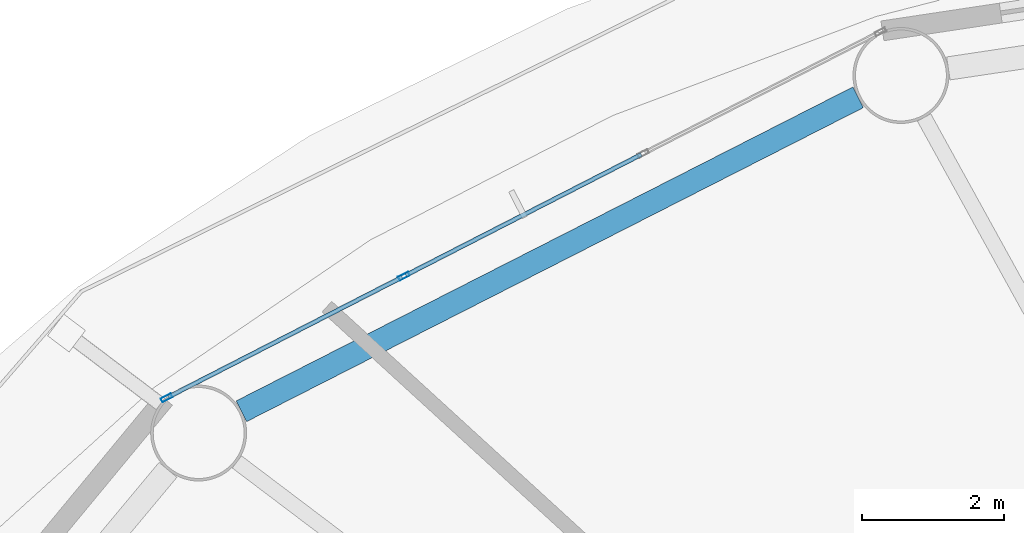
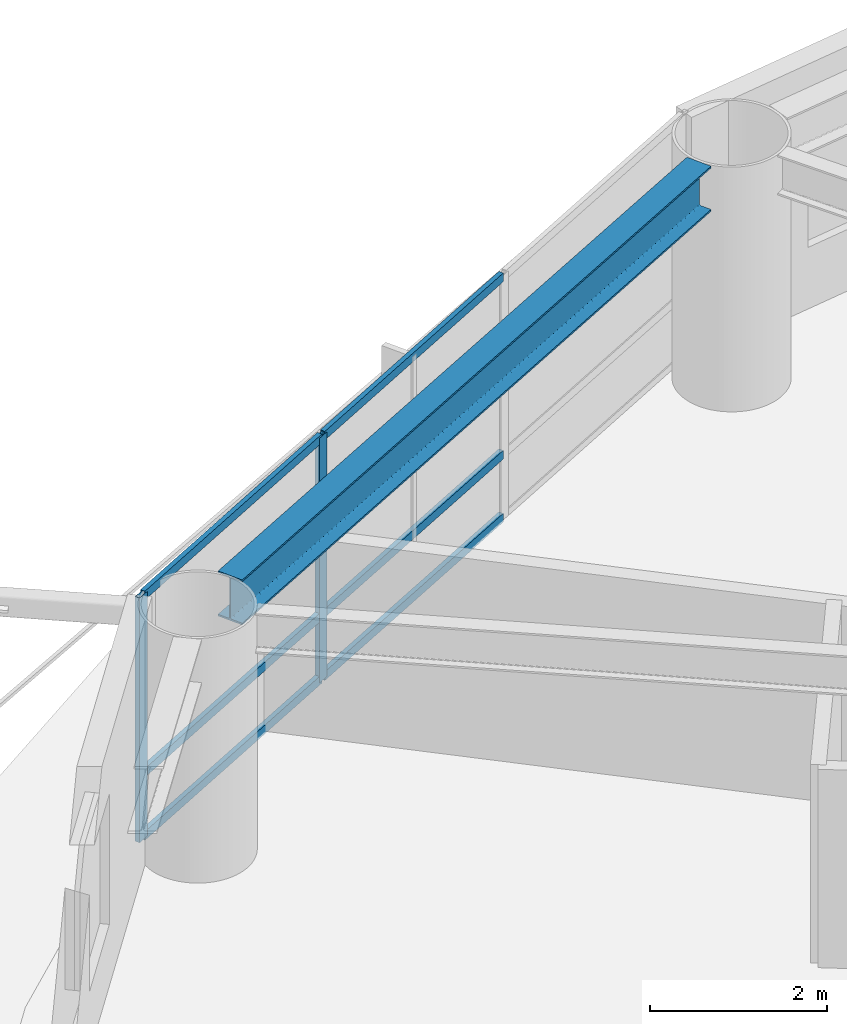
# One storey, part 10 of 26: 8 members, 1 beam, 1 element without a shape of its own.
"""IFC4 building model written with IfcOpenShell, lengths in metres."""

from ifc_helpers import new_model, si_unit, direction, frame, origin, origin_2d, place, context, subcontext, project, spatial, hollow_rectangle, i_section, extrude, material, layer, layer_set, material_profile, profile_set, type_object, element, aggregate, save


model = new_model("IFC4")

# Units and contexts
model_context = context("Model", 3, precision=1e-05, world=origin(), true_north=direction((0.0, 1.0)))
body_context = subcontext(model_context, "Body", "Model", "MODEL_VIEW")
ifc_project = project(units=[si_unit("LENGTHUNIT", "METRE"), si_unit("AREAUNIT", "SQUARE_METRE"), si_unit("VOLUMEUNIT", "CUBIC_METRE"), si_unit("PLANEANGLEUNIT", "RADIAN"), si_unit("MASSUNIT", "GRAM", prefix="KILO")], contexts=[model_context])

# Site, building, storey
site_placement = place(None, origin())
site = spatial("IfcSite", under=ifc_project, at=site_placement, CompositionType="ELEMENT")
building_placement = place(site_placement, origin())
building = spatial("IfcBuilding", under=site, at=building_placement, Name="Sarneth Arch Tower", CompositionType="ELEMENT")
storey_placement = place(building_placement, frame((0.0, 0.0, 60.60009765625)))
storey = spatial("IfcBuildingStorey", under=building, at=storey_placement, Name="L14", CompositionType="ELEMENT", Elevation=60.60009765625)

# Beam
ifc_material_1 = material(Name="Steel S355", Category="steel")
ifc_material_profile_1 = material_profile(ifc_material_1, i_section(OverallWidth=0.326904296875, OverallDepth=0.6220703125, WebThickness=0.015380859375, FlangeThickness=0.0244140625, FilletRadius=0.01904296875, at=origin_2d()), Name="W610x195")
ifc_profile_set_1 = profile_set([ifc_material_profile_1], Name="Steel S355")
beam_type = type_object("IfcBeamType", Name="BM-SPAN-610A", PredefinedType="SPANDREL", material=ifc_profile_set_1)
beam_placement = place(storey_placement, frame((35.58056640625, 63.127685546875, 3.06884765625), z_axis=(-0.8911738076, -0.453662037919, 0.0), x_axis=(0.453662037919, -0.8911738076, 0.0)))
element("IfcBeam", 1, at=beam_placement, inside=storey, type_object=beam_type, Name="L14 Perimeter spandrel beam 06", PredefinedType="SPANDREL", context=body_context, shape_type="SweptSolid", body=[
    extrude(i_section(OverallWidth=0.326904296875, OverallDepth=0.6220703125, WebThickness=0.015380859375, FlangeThickness=0.0244140625, FilletRadius=0.01904296875, at=origin_2d()), origin(), (0.0, 0.0, 1.0), 9.735107421875),
])

# Curtain wall, members
ifc_material_2 = material(Name="Anodised aluminium Type AA25 and solar-control low-e laminated IGU", Category="aluminium")
ifc_layer = layer(ifc_material_2, 0.159912109375)
ifc_layer_set = layer_set([ifc_layer], Name="Anodised aluminium Type AA25 and solar-control low-e laminated IGU")
curtain_wall_type = type_object("IfcCurtainWallType", Name="CW-HOTEL-LOW", PredefinedType="NOTDEFINED", material=ifc_layer_set)
curtain_wall_placement = place(storey_placement, origin())
curtain_wall = element("IfcCurtainWall", 2, at=curtain_wall_placement, inside=storey, type_object=curtain_wall_type, Name="L14 Unitised curtain wall facet 06", PredefinedType="NOTDEFINED")
ifc_material_3 = material(Name="Anodised Aluminium 6063-T6", Category="aluminium")
ifc_material_profile_2 = material_profile(ifc_material_3, hollow_rectangle(XDim=0.06005859375, YDim=0.159912109375, WallThickness=0.00390625, at=origin_2d()), Name="AL-MULL-160x60x4")
ifc_profile_set_2 = profile_set([ifc_material_profile_2], Name="Anodised Aluminium 6063-T6")
member_type_1 = type_object("IfcMemberType", Name="CW-MULLION", PredefinedType="MULLION", material=ifc_profile_set_2)
member_1_placement = place(storey_placement, frame((29.19140625, 60.611328125, 0.0), z_axis=(0.0, 0.0, 1.0), x_axis=(0.456245197127, -0.889854100456, 0.0)))
member_1 = element("IfcMember", 3, at=member_1_placement, type_object=member_type_1, Name="CW-SYS-3 mullion 3", PredefinedType="MULLION", context=body_context, shape_type="SweptSolid", body=[
    extrude(hollow_rectangle(XDim=0.06005859375, YDim=0.159912109375, WallThickness=0.00390625, at=origin_2d()), origin(), (0.0, 0.0, 1.0), 3.3798828125),
])
member_2_placement = place(storey_placement, frame((25.8525390625, 58.8994140625, 0.0), z_axis=(0.0, 0.0, 1.0), x_axis=(0.456245197127, -0.889854100456, 0.0)))
member_2 = element("IfcMember", 4, at=member_2_placement, type_object=member_type_1, Name="CW-SYS-3 mullion 4", PredefinedType="MULLION", context=body_context, shape_type="SweptSolid", body=[
    extrude(hollow_rectangle(XDim=0.06005859375, YDim=0.159912109375, WallThickness=0.00390625, at=origin_2d()), origin(), (0.0, 0.0, 1.0), 3.3798828125),
])
ifc_material_4 = material(Name="Anodised Aluminium 6063-T6", Category="aluminium")
ifc_material_profile_3 = material_profile(ifc_material_4, hollow_rectangle(XDim=0.06005859375, YDim=0.1201171875, WallThickness=0.00390625, at=origin_2d()), Name="AL-TRAN-120x60x4")
ifc_profile_set_3 = profile_set([ifc_material_profile_3], Name="Anodised Aluminium 6063-T6")
member_type_2 = type_object("IfcMemberType", Name="CW-TRANSOM", PredefinedType="USERDEFINED", material=ifc_profile_set_3)
member_3_placement = place(storey_placement, frame((32.530029296875, 62.322998046875, 0.02978515625), z_axis=(-0.889868677022, -0.456216766083, 0.0), x_axis=(0.456216766083, -0.889868677022, 0.0)))
member_3 = element("IfcMember", 5, at=member_3_placement, type_object=member_type_2, Name="CW-SYS-3 transom 2.1", ObjectType="TRANSOM", PredefinedType="USERDEFINED", context=body_context, shape_type="SweptSolid", body=[
    extrude(hollow_rectangle(XDim=0.06005859375, YDim=0.1201171875, WallThickness=0.00390625, at=origin_2d()), origin(), (0.0, 0.0, 1.0), 3.721923828125),
])
member_4_placement = place(storey_placement, frame((32.530029296875, 62.322998046875, 0.89990234375), z_axis=(-0.889868677022, -0.456216766083, 0.0), x_axis=(0.456216766083, -0.889868677022, 0.0)))
member_4 = element("IfcMember", 6, at=member_4_placement, type_object=member_type_2, Name="CW-SYS-3 transom 2.2", ObjectType="TRANSOM", PredefinedType="USERDEFINED", context=body_context, shape_type="SweptSolid", body=[
    extrude(hollow_rectangle(XDim=0.06005859375, YDim=0.1201171875, WallThickness=0.00390625, at=origin_2d()), origin(), (0.0, 0.0, 1.0), 3.721923828125),
])
member_5_placement = place(storey_placement, frame((32.530029296875, 62.322998046875, 3.349853515625), z_axis=(-0.889868677022, -0.456216766083, 0.0), x_axis=(0.456216766083, -0.889868677022, 0.0)))
member_5 = element("IfcMember", 7, at=member_5_placement, type_object=member_type_2, Name="CW-SYS-3 transom 2.3", ObjectType="TRANSOM", PredefinedType="USERDEFINED", context=body_context, shape_type="SweptSolid", body=[
    extrude(hollow_rectangle(XDim=0.06005859375, YDim=0.1201171875, WallThickness=0.00390625, at=origin_2d()), origin(), (0.0, 0.0, 1.0), 3.721923828125),
])
member_6_placement = place(storey_placement, frame((29.16455078125, 60.597412109375, 0.02978515625), z_axis=(-0.889871845224, -0.456210586327, 0.0), x_axis=(0.456210586327, -0.889871845224, 0.0)))
member_6 = element("IfcMember", 8, at=member_6_placement, type_object=member_type_2, Name="CW-SYS-3 transom 3.1", ObjectType="TRANSOM", PredefinedType="USERDEFINED", context=body_context, shape_type="SweptSolid", body=[
    extrude(hollow_rectangle(XDim=0.06005859375, YDim=0.1201171875, WallThickness=0.00390625, at=origin_2d()), origin(), (0.0, 0.0, 1.0), 3.69189453125),
])
member_7_placement = place(storey_placement, frame((29.16455078125, 60.597412109375, 0.89990234375), z_axis=(-0.889871845224, -0.456210586327, 0.0), x_axis=(0.456210586327, -0.889871845224, 0.0)))
member_7 = element("IfcMember", 9, at=member_7_placement, type_object=member_type_2, Name="CW-SYS-3 transom 3.2", ObjectType="TRANSOM", PredefinedType="USERDEFINED", context=body_context, shape_type="SweptSolid", body=[
    extrude(hollow_rectangle(XDim=0.06005859375, YDim=0.1201171875, WallThickness=0.00390625, at=origin_2d()), origin(), (0.0, 0.0, 1.0), 3.69189453125),
])
member_8_placement = place(storey_placement, frame((29.16455078125, 60.597412109375, 3.349853515625), z_axis=(-0.889871845224, -0.456210586327, 0.0), x_axis=(0.456210586327, -0.889871845224, 0.0)))
member_8 = element("IfcMember", 10, at=member_8_placement, type_object=member_type_2, Name="CW-SYS-3 transom 3.3", ObjectType="TRANSOM", PredefinedType="USERDEFINED", context=body_context, shape_type="SweptSolid", body=[
    extrude(hollow_rectangle(XDim=0.06005859375, YDim=0.1201171875, WallThickness=0.00390625, at=origin_2d()), origin(), (0.0, 0.0, 1.0), 3.69189453125),
])
aggregate(curtain_wall, [member_1, member_2, member_3, member_4, member_5, member_6, member_7, member_8])

save(model, "model.ifc")
